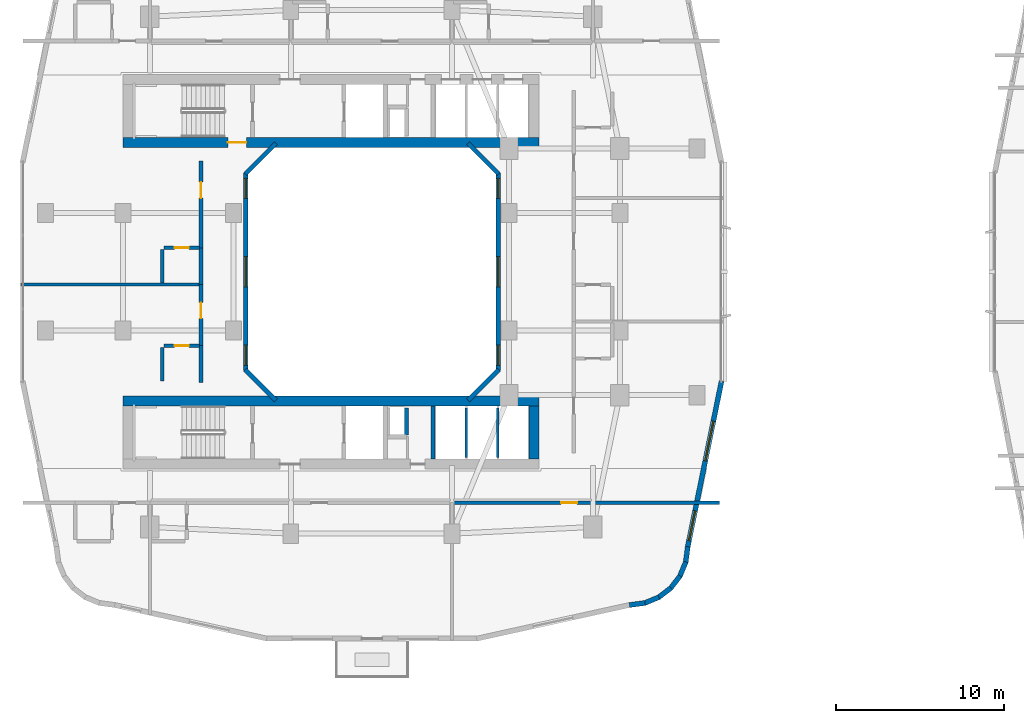
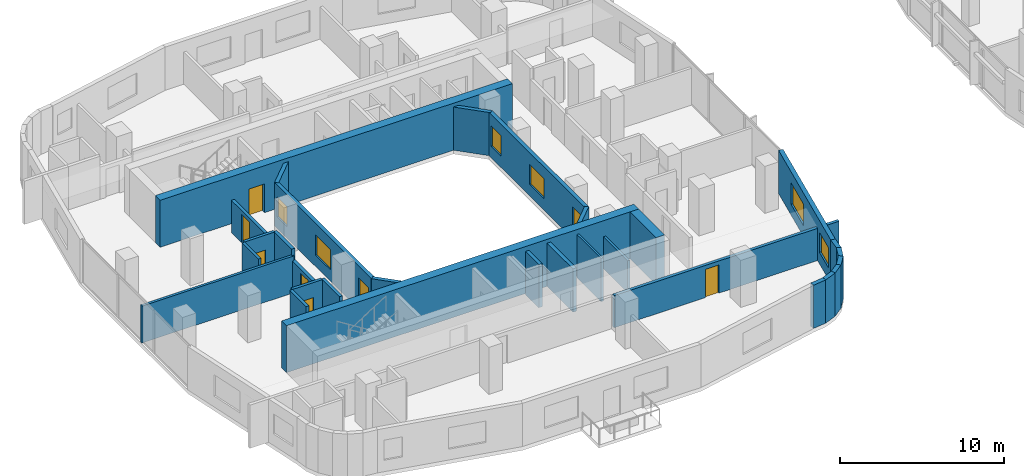
# One storey, part 9 of 22: 30 walls, 8 windows, 6 doors, 14 openings.
"""IFC4 building model written with IfcOpenShell, lengths in metres."""

from ifc_helpers import new_model, si_unit, derived_unit, direction, frame, frame_2d, origin, place, context, subcontext, project, spatial, rectangle, extrude, material, layer, layer_set, type_object, element, fill, save


model = new_model("IFC4")

# Units and contexts
model_context = context("Model", 3, precision=1e-05, world=origin(), true_north=direction((0.0, 1.0)))
body_context = subcontext(model_context, "Body", "Model", "MODEL_VIEW")
ifc_project = project(units=[si_unit("LENGTHUNIT", "METRE"), si_unit("AREAUNIT", "SQUARE_METRE"), si_unit("VOLUMEUNIT", "CUBIC_METRE"), si_unit("PLANEANGLEUNIT", "RADIAN"), si_unit("MASSUNIT", "GRAM", prefix="KILO"), derived_unit("THERMALTRANSMITTANCEUNIT", [(si_unit("POWERUNIT", "WATT"), 1), (si_unit("LENGTHUNIT", "METRE"), -2), (si_unit("THERMODYNAMICTEMPERATUREUNIT", "KELVIN"), -1)])], contexts=[model_context])

# Site, building, storey
site_placement = place(None, origin())
site = spatial("IfcSite", under=ifc_project, at=site_placement, CompositionType="ELEMENT")
building_placement = place(site_placement, origin())
building = spatial("IfcBuilding", under=site, at=building_placement, Name="Kivonza Crest Hotel", CompositionType="ELEMENT")
storey_placement = place(building_placement, frame((0.0, 0.0, 27.5)))
storey = spatial("IfcBuildingStorey", under=building, at=storey_placement, Name="L06", CompositionType="ELEMENT", Elevation=27.5)

# Wall
ifc_material_1 = material(Name="High-density acoustic masonry inter-tenancy wall", Category="masonry")
ifc_layer_1 = layer(ifc_material_1, 0.179931640625)
ifc_layer_set_1 = layer_set([ifc_layer_1], Name="High-density acoustic masonry inter-tenancy wall")
wall_type_1 = type_object("IfcWallType", Name="WL-ACOU-180", PredefinedType="SOLIDWALL", material=ifc_layer_set_1)
wall_1_placement = place(storey_placement, frame((0.139892578125, 24.22998046875, 0.0), z_axis=(0.0, 0.0, 1.0), x_axis=(1.0, 0.0, 0.0)))
element("IfcWall", 1, at=wall_1_placement, inside=storey, type_object=wall_type_1, Name="L06 interior partition WA-L06-T1W-DIV1", PredefinedType="SOLIDWALL", context=body_context, shape_type="SweptSolid", body=[
    extrude(rectangle(XDim=10.710205078125, YDim=0.179931640625, at=frame_2d((5.35498046875, 0.0))), origin(), (0.0, 0.0, 1.0), 2.7451171875),
])

# Wall, opening, door
ifc_material_2 = material(Name="Autoclaved aerated concrete blockwork", Category="masonry")
ifc_layer_2 = layer(ifc_material_2, 0.219970703125)
ifc_layer_set_2 = layer_set([ifc_layer_2], Name="Autoclaved aerated concrete blockwork")
wall_type_2 = type_object("IfcWallType", Name="WL-ACOU-220", PredefinedType="SOLIDWALL", material=ifc_layer_set_2)
wall_2_placement = place(storey_placement, frame((25.89990234375, 11.25, 0.0), z_axis=(0.0, 0.0, 1.0), x_axis=(1.0, 0.0, 0.0)))
wall_2 = element("IfcWall", 2, at=wall_2_placement, inside=storey, type_object=wall_type_2, Name="L06 interior partition WA-L06-BUS-MTG-N", PredefinedType="SOLIDWALL", context=body_context, shape_type="SweptSolid", body=[
    extrude(rectangle(XDim=15.840087890625, YDim=0.219970703125, at=frame_2d((7.919921875, 0.0))), origin(), (0.0, 0.0, 1.0), 2.39501953125),
])
opening_1_placement = place(wall_2_placement, frame((6.410888671875, 0.0, 0.0)))
opening_1 = element("IfcOpeningElement", 3, at=opening_1_placement, cuts=wall_2, Name="Opening DF-60S", PredefinedType="OPENING", context=body_context, shape_type="SweptSolid", body=[
    extrude(rectangle(XDim=0.949951171875, YDim=2.10009765625, at=frame_2d((0.47509765625, 1.050048828125))), frame((0.0, 0.1201171875, 0.0), z_axis=(0.0, -1.0, 0.0), x_axis=(1.0, 0.0, 0.0)), (0.0, 0.0, 1.0), 0.239990234375),
])
ifc_material_3 = material(Name="Hardwood timber oak", Category="wood")
door_type_1 = type_object("IfcDoorType", Name="DR-FD60-950", OperationType="NOTDEFINED", PredefinedType="DOOR", material=ifc_material_3)
door_1_placement = place(opening_1_placement, frame((0.949951171875, 0.0, 0.0), z_axis=(0.0, 0.0, 1.0), x_axis=(-1.0, 0.0, 0.0)))
door_1 = element("IfcDoor", 4, at=door_1_placement, inside=storey, type_object=door_type_1, Name="L06 Executive Club Lounge door", OperationType="SINGLE_SWING_RIGHT", OverallHeight=2.10009765625, OverallWidth=0.949951171875, PredefinedType="DOOR", context=body_context, shape_type="SweptSolid", body=[
    extrude(rectangle(XDim=0.949951171875, YDim=2.10009765625, at=frame_2d((0.47509765625, 1.050048828125))), frame((0.0, 0.02490234375, 0.0), z_axis=(0.0, -1.0, 0.0), x_axis=(1.0, 0.0, 0.0)), (0.0, 0.0, 1.0), 0.050048828125),
])
fill(opening_1, door_1)

# Wall
wall_3_placement = place(storey_placement, frame((10.85009765625, 18.39990234375, 0.0), z_axis=(0.0, 0.0, 1.0), x_axis=(0.0, 1.0, 0.0)))
element("IfcWall", 5, at=wall_3_placement, inside=storey, type_object=wall_type_2, Name="L06 interior partition WA-L06-W06-BCORR", PredefinedType="SOLIDWALL", context=body_context, shape_type="SweptSolid", body=[
    extrude(rectangle(XDim=2.2001953125, YDim=0.219970703125, at=frame_2d((1.10009765625, 0.0))), origin(), (0.0, 0.0, 1.0), 3.219970703125),
])

# Wall, opening, door
wall_4_placement = place(storey_placement, frame((10.85009765625, 20.60009765625, 0.0), z_axis=(0.0, 0.0, 1.0), x_axis=(0.0, 1.0, 0.0)))
wall_4 = element("IfcWall", 6, at=wall_4_placement, inside=storey, type_object=wall_type_2, Name="L06 interior partition WA-L06-W06-MCORR", PredefinedType="SOLIDWALL", context=body_context, shape_type="SweptSolid", body=[
    extrude(rectangle(XDim=3.6298828125, YDim=0.219970703125, at=frame_2d((1.81494140625, 0.0))), origin(), (0.0, 0.0, 1.0), 2.39501953125),
])
opening_2_placement = place(wall_4_placement, frame((1.6201171875, 0.0, 0.0)))
opening_2 = element("IfcOpeningElement", 7, at=opening_2_placement, cuts=wall_4, Name="Opening DU-60", PredefinedType="OPENING", context=body_context, shape_type="SweptSolid", body=[
    extrude(rectangle(XDim=0.949951171875, YDim=2.10009765625, at=frame_2d((0.47509765625, 1.050048828125))), frame((0.0, 0.1201171875, 0.0), z_axis=(0.0, -1.0, 0.0), x_axis=(1.0, 0.0, 0.0)), (0.0, 0.0, 1.0), 0.239990234375),
])
door_type_2 = type_object("IfcDoorType", Name="DR-UNIT-950", OperationType="NOTDEFINED", PredefinedType="DOOR", material=ifc_material_3)
door_2_placement = place(opening_2_placement, origin())
door_2 = element("IfcDoor", 8, at=door_2_placement, inside=storey, type_object=door_type_2, Name="L06 W06 guest unit entrance fire door", OperationType="SINGLE_SWING_RIGHT", OverallHeight=2.10009765625, OverallWidth=0.949951171875, PredefinedType="DOOR", context=body_context, shape_type="SweptSolid", body=[
    extrude(rectangle(XDim=0.949951171875, YDim=2.10009765625, at=frame_2d((0.47509765625, 1.050048828125))), frame((0.0, 0.02490234375, 0.0), z_axis=(0.0, -1.0, 0.0), x_axis=(1.0, 0.0, 0.0)), (0.0, 0.0, 1.0), 0.050048828125),
])
fill(opening_2, door_2)

# Wall
wall_5_placement = place(storey_placement, frame((10.85009765625, 24.22998046875, 0.0), z_axis=(0.0, 0.0, 1.0), x_axis=(0.0, 1.0, 0.0)))
element("IfcWall", 9, at=wall_5_placement, inside=storey, type_object=wall_type_2, Name="L06 interior partition WA-L06-W07-BCORR", PredefinedType="SOLIDWALL", context=body_context, shape_type="SweptSolid", body=[
    extrude(rectangle(XDim=2.199951171875, YDim=0.219970703125, at=frame_2d((1.10009765625, 0.0))), origin(), (0.0, 0.0, 1.0), 3.219970703125),
])

# Wall, opening, door
wall_6_placement = place(storey_placement, frame((10.85009765625, 26.429931640625, 0.0), z_axis=(0.0, 0.0, 1.0), x_axis=(0.0, 1.0, 0.0)))
wall_6 = element("IfcWall", 10, at=wall_6_placement, inside=storey, type_object=wall_type_2, Name="L06 interior partition WA-L06-W07-MCORR", PredefinedType="SOLIDWALL", context=body_context, shape_type="SweptSolid", body=[
    extrude(rectangle(XDim=5.170166015625, YDim=0.219970703125, at=frame_2d((2.5849609375, 0.0))), origin(), (0.0, 0.0, 1.0), 2.39501953125),
])
opening_3_placement = place(wall_6_placement, frame((2.9599609375, 0.0, 0.0)))
opening_3 = element("IfcOpeningElement", 11, at=opening_3_placement, cuts=wall_6, Name="Opening DU-60", PredefinedType="OPENING", context=body_context, shape_type="SweptSolid", body=[
    extrude(rectangle(XDim=0.949951171875, YDim=2.10009765625, at=frame_2d((0.47509765625, 1.050048828125))), frame((0.0, 0.1201171875, 0.0), z_axis=(0.0, -1.0, 0.0), x_axis=(1.0, 0.0, 0.0)), (0.0, 0.0, 1.0), 0.239990234375),
])
door_3_placement = place(opening_3_placement, origin())
door_3 = element("IfcDoor", 12, at=door_3_placement, inside=storey, type_object=door_type_2, Name="L06 W07 guest unit entrance fire door", OperationType="SINGLE_SWING_LEFT", OverallHeight=2.10009765625, OverallWidth=0.949951171875, PredefinedType="DOOR", context=body_context, shape_type="SweptSolid", body=[
    extrude(rectangle(XDim=0.949951171875, YDim=2.10009765625, at=frame_2d((0.47509765625, 1.050048828125))), frame((0.0, 0.02490234375, 0.0), z_axis=(0.0, -1.0, 0.0), x_axis=(1.0, 0.0, 0.0)), (0.0, 0.0, 1.0), 0.050048828125),
])
fill(opening_3, door_3)

ifc_material_4 = material(Name="Concrete C60/75", Category="concrete")
ifc_layer_3 = layer(ifc_material_4, 0.60009765625)
ifc_layer_set_3 = layer_set([ifc_layer_3], Name="Concrete C60/75")
wall_type_3 = type_object("IfcWallType", Name="WL-CORE-600", PredefinedType="SHEAR", material=ifc_layer_set_3)
wall_7_placement = place(storey_placement, frame((6.199951171875, 32.699951171875, 0.0), z_axis=(0.0, 0.0, 1.0), x_axis=(1.0, 0.0, 0.0)))
wall_7 = element("IfcWall", 13, at=wall_7_placement, inside=storey, type_object=wall_type_3, Name="Core wall T1-N South L06", PredefinedType="SHEAR", context=body_context, shape_type="SweptSolid", body=[
    extrude(rectangle(XDim=24.800048828125, YDim=0.60009765625, at=frame_2d((12.39990234375, 0.0))), origin(), (0.0, 0.0, 1.0), 3.5),
])
opening_4_placement = place(wall_7_placement, frame((6.25, 0.0, 0.0)))
opening_4 = element("IfcOpeningElement", 14, at=opening_4_placement, cuts=wall_7, Name="Opening DF-120", PredefinedType="OPENING", context=body_context, shape_type="SweptSolid", body=[
    extrude(rectangle(XDim=1.10009765625, YDim=2.14990234375, at=frame_2d((0.550048828125, 1.074951171875))), frame((0.0, 0.31005859375, 0.0), z_axis=(0.0, -1.0, 0.0), x_axis=(1.0, 0.0, 0.0)), (0.0, 0.0, 1.0), 0.6201171875),
])
ifc_material_5 = material(Name="Galvanised steel", Category="steel")
door_type_3 = type_object("IfcDoorType", Name="DR-FD120-1100", OperationType="NOTDEFINED", PredefinedType="DOOR", material=ifc_material_5)
door_4_placement = place(opening_4_placement, origin())
door_4 = element("IfcDoor", 15, at=door_4_placement, inside=storey, type_object=door_type_3, Name="L06 West corridor stair access fire door", OperationType="SINGLE_SWING_LEFT", OverallHeight=2.14990234375, OverallWidth=1.10009765625, PredefinedType="DOOR", context=body_context, shape_type="SweptSolid", body=[
    extrude(rectangle(XDim=1.10009765625, YDim=2.14990234375, at=frame_2d((0.550048828125, 1.074951171875))), frame((0.0, 0.02490234375, 0.0), z_axis=(0.0, -1.0, 0.0), x_axis=(1.0, 0.0, 0.0)), (0.0, 0.0, 1.0), 0.050048828125),
])
fill(opening_4, door_4)

# Walls
wall_8_placement = place(storey_placement, frame((6.199951171875, 17.300048828125, 0.0), z_axis=(0.0, 0.0, 1.0), x_axis=(1.0, 0.0, 0.0)))
element("IfcWall", 16, at=wall_8_placement, inside=storey, type_object=wall_type_3, Name="Core wall T1-S North L06", PredefinedType="SHEAR", context=body_context, shape_type="SweptSolid", body=[
    extrude(rectangle(XDim=24.800048828125, YDim=0.60009765625, at=frame_2d((12.39990234375, 0.0))), origin(), (0.0, 0.0, 1.0), 3.5),
])
wall_9_placement = place(storey_placement, frame((30.699951171875, 13.840087890625, 0.0), z_axis=(0.0, 0.0, 1.0), x_axis=(0.0, 1.0, 0.0)))
element("IfcWall", 17, at=wall_9_placement, inside=storey, type_object=wall_type_3, Name="Core wall T1-S East L06", PredefinedType="SHEAR", context=body_context, shape_type="SweptSolid", body=[
    extrude(rectangle(XDim=3.159912109375, YDim=0.60009765625, at=frame_2d((1.580078125, 0.0))), origin(), (0.0, 0.0, 1.0), 3.5),
])
ifc_material_6 = material(Name="Precast concrete C40/50", Category="concrete")
ifc_layer_4 = layer(ifc_material_6, 0.260009765625)
ifc_layer_set_4 = layer_set([ifc_layer_4], Name="Precast concrete C40/50")
wall_type_4 = type_object("IfcWallType", Name="WL-EXT-260", PredefinedType="STANDARD", material=ifc_layer_set_4)
wall_10_placement = place(storey_placement, frame((26.761962890625, 17.337890625, 0.0), z_axis=(0.0, 0.0, 1.0), x_axis=(0.707059717605, 0.707153841636, 0.0)))
element("IfcWall", 18, at=wall_10_placement, inside=storey, type_object=wall_type_4, Name="L06 T1 light-well exterior wall 2", PredefinedType="STANDARD", context=body_context, shape_type="SweptSolid", body=[
    extrude(rectangle(XDim=2.59375, YDim=0.260009765625, at=frame_2d((1.296875, 0.0))), origin(), (0.0, 0.0, 1.0), 3.219970703125),
])

# Wall, openings, windows
wall_11_placement = place(storey_placement, frame((28.570068359375, 19.110107421875, 0.0), z_axis=(0.0, 0.0, 1.0), x_axis=(0.0, 1.0, 0.0)))
wall_11 = element("IfcWall", 19, at=wall_11_placement, inside=storey, type_object=wall_type_4, Name="L06 T1 light-well exterior wall 3", PredefinedType="STANDARD", context=body_context, shape_type="SweptSolid", body=[
    extrude(rectangle(XDim=11.77978515625, YDim=0.260009765625, at=frame_2d((5.889892578125, 0.0))), origin(), (0.0, 0.0, 1.0), 3.219970703125),
])
opening_5_placement = place(wall_11_placement, frame((0.318115234375, 0.0, 0.85009765625)))
opening_5 = element("IfcOpeningElement", 20, at=opening_5_placement, cuts=wall_11, Name="Opening WN-01", PredefinedType="OPENING", context=body_context, shape_type="SweptSolid", body=[
    extrude(rectangle(XDim=1.199951171875, YDim=1.5, at=frame_2d((0.60009765625, 0.75))), frame((0.0, 0.14013671875, 0.0), z_axis=(0.0, -1.0, 0.0), x_axis=(1.0, 0.0, 0.0)), (0.0, 0.0, 1.0), 0.280029296875),
])
opening_6_placement = place(wall_11_placement, frame((4.989990234375, 0.0, 0.85009765625)))
opening_6 = element("IfcOpeningElement", 21, at=opening_6_placement, cuts=wall_11, Name="Opening WN-03", PredefinedType="OPENING", context=body_context, shape_type="SweptSolid", body=[
    extrude(rectangle(XDim=1.800048828125, YDim=1.5, at=frame_2d((0.89990234375, 0.75))), frame((0.0, 0.14013671875, 0.0), z_axis=(0.0, -1.0, 0.0), x_axis=(1.0, 0.0, 0.0)), (0.0, 0.0, 1.0), 0.280029296875),
])
opening_7_placement = place(wall_11_placement, frame((10.262939453125, 0.0, 0.85009765625)))
opening_7 = element("IfcOpeningElement", 22, at=opening_7_placement, cuts=wall_11, Name="Opening WN-01", PredefinedType="OPENING", context=body_context, shape_type="SweptSolid", body=[
    extrude(rectangle(XDim=1.199951171875, YDim=1.5, at=frame_2d((0.60009765625, 0.75))), frame((0.0, 0.14013671875, 0.0), z_axis=(0.0, -1.0, 0.0), x_axis=(1.0, 0.0, 0.0)), (0.0, 0.0, 1.0), 0.280029296875),
])
ifc_material_7 = material(Name="Thermally broken bronze aluminium and low-E double glazing", Category="aluminium")
window_type_1 = type_object("IfcWindowType", Name="WN-120x150", PartitioningType="SINGLE_PANEL", PredefinedType="WINDOW", material=ifc_material_7)
window_1_placement = place(opening_5_placement, origin())
window_1 = element("IfcWindow", 23, at=window_1_placement, inside=storey, type_object=window_type_1, Name="L06 T1 light-well window 3 bay 1", OverallHeight=1.5, OverallWidth=1.199951171875, PartitioningType="SINGLE_PANEL", PredefinedType="WINDOW", context=body_context, shape_type="SweptSolid", body=[
    extrude(rectangle(XDim=1.199951171875, YDim=1.5, at=frame_2d((0.60009765625, 0.75))), frame((0.0, 0.030029296875, 0.0), z_axis=(0.0, -1.0, 0.0), x_axis=(1.0, 0.0, 0.0)), (0.0, 0.0, 1.0), 0.06005859375),
])
fill(opening_5, window_1)
window_2_placement = place(opening_7_placement, origin())
window_2 = element("IfcWindow", 24, at=window_2_placement, inside=storey, type_object=window_type_1, Name="L06 T1 light-well window 3 bay 3", OverallHeight=1.5, OverallWidth=1.199951171875, PartitioningType="SINGLE_PANEL", PredefinedType="WINDOW", context=body_context, shape_type="SweptSolid", body=[
    extrude(rectangle(XDim=1.199951171875, YDim=1.5, at=frame_2d((0.60009765625, 0.75))), frame((0.0, 0.030029296875, 0.0), z_axis=(0.0, -1.0, 0.0), x_axis=(1.0, 0.0, 0.0)), (0.0, 0.0, 1.0), 0.06005859375),
])
fill(opening_7, window_2)
window_type_2 = type_object("IfcWindowType", Name="WN-180x150", PartitioningType="DOUBLE_PANEL_VERTICAL", PredefinedType="WINDOW", material=ifc_material_7)
window_3_placement = place(opening_6_placement, origin())
window_3 = element("IfcWindow", 25, at=window_3_placement, inside=storey, type_object=window_type_2, Name="L06 T1 light-well window 3 bay 2", OverallHeight=1.5, OverallWidth=1.800048828125, PartitioningType="SINGLE_PANEL", PredefinedType="WINDOW", context=body_context, shape_type="SweptSolid", body=[
    extrude(rectangle(XDim=1.800048828125, YDim=1.5, at=frame_2d((0.89990234375, 0.75))), frame((0.0, 0.030029296875, 0.0), z_axis=(0.0, -1.0, 0.0), x_axis=(1.0, 0.0, 0.0)), (0.0, 0.0, 1.0), 0.06005859375),
])
fill(opening_6, window_3)

# Walls
wall_12_placement = place(storey_placement, frame((28.595947265625, 30.827880859375, 0.0), z_axis=(0.0, 0.0, 1.0), x_axis=(-0.707059717605, 0.707153841636, 0.0)))
element("IfcWall", 26, at=wall_12_placement, inside=storey, type_object=wall_type_4, Name="L06 T1 light-well exterior wall 4", PredefinedType="STANDARD", context=body_context, shape_type="SweptSolid", body=[
    extrude(rectangle(XDim=2.59375, YDim=0.260009765625, at=frame_2d((1.296875, 0.0))), origin(), (0.0, 0.0, 1.0), 3.219970703125),
])
wall_13_placement = place(storey_placement, frame((15.318115234375, 32.662109375, 0.0), z_axis=(0.0, 0.0, 1.0), x_axis=(-0.707106781187, -0.707106781187, 0.0)))
element("IfcWall", 27, at=wall_13_placement, inside=storey, type_object=wall_type_4, Name="L06 T1 light-well exterior wall 6", PredefinedType="STANDARD", context=body_context, shape_type="SweptSolid", body=[
    extrude(rectangle(XDim=2.593994140625, YDim=0.260009765625, at=frame_2d((1.296875, 0.0))), origin(), (0.0, 0.0, 1.0), 3.219970703125),
])

# Wall, openings, windows
wall_14_placement = place(storey_placement, frame((13.510009765625, 30.889892578125, 0.0), z_axis=(0.0, 0.0, 1.0), x_axis=(0.0, -1.0, 0.0)))
wall_14 = element("IfcWall", 28, at=wall_14_placement, inside=storey, type_object=wall_type_4, Name="L06 T1 light-well exterior wall 7", PredefinedType="STANDARD", context=body_context, shape_type="SweptSolid", body=[
    extrude(rectangle(XDim=11.77978515625, YDim=0.260009765625, at=frame_2d((5.889892578125, 0.0))), origin(), (0.0, 0.0, 1.0), 3.219970703125),
])
opening_8_placement = place(wall_14_placement, frame((0.318115234375, 0.0, 0.85009765625)))
opening_8 = element("IfcOpeningElement", 29, at=opening_8_placement, cuts=wall_14, Name="Opening WN-01", PredefinedType="OPENING", context=body_context, shape_type="SweptSolid", body=[
    extrude(rectangle(XDim=1.199951171875, YDim=1.5, at=frame_2d((0.60009765625, 0.75))), frame((0.0, 0.14013671875, 0.0), z_axis=(0.0, -1.0, 0.0), x_axis=(1.0, 0.0, 0.0)), (0.0, 0.0, 1.0), 0.280029296875),
])
opening_9_placement = place(wall_14_placement, frame((4.989990234375, 0.0, 0.85009765625)))
opening_9 = element("IfcOpeningElement", 30, at=opening_9_placement, cuts=wall_14, Name="Opening WN-03", PredefinedType="OPENING", context=body_context, shape_type="SweptSolid", body=[
    extrude(rectangle(XDim=1.800048828125, YDim=1.5, at=frame_2d((0.89990234375, 0.75))), frame((0.0, 0.14013671875, 0.0), z_axis=(0.0, -1.0, 0.0), x_axis=(1.0, 0.0, 0.0)), (0.0, 0.0, 1.0), 0.280029296875),
])
opening_10_placement = place(wall_14_placement, frame((10.262939453125, 0.0, 0.85009765625)))
opening_10 = element("IfcOpeningElement", 31, at=opening_10_placement, cuts=wall_14, Name="Opening WN-01", PredefinedType="OPENING", context=body_context, shape_type="SweptSolid", body=[
    extrude(rectangle(XDim=1.199951171875, YDim=1.5, at=frame_2d((0.60009765625, 0.75))), frame((0.0, 0.14013671875, 0.0), z_axis=(0.0, -1.0, 0.0), x_axis=(1.0, 0.0, 0.0)), (0.0, 0.0, 1.0), 0.280029296875),
])
window_4_placement = place(opening_8_placement, origin())
window_4 = element("IfcWindow", 32, at=window_4_placement, inside=storey, type_object=window_type_1, Name="L06 T1 light-well window 7 bay 1", OverallHeight=1.5, OverallWidth=1.199951171875, PartitioningType="SINGLE_PANEL", PredefinedType="WINDOW", context=body_context, shape_type="SweptSolid", body=[
    extrude(rectangle(XDim=1.199951171875, YDim=1.5, at=frame_2d((0.60009765625, 0.75))), frame((0.0, 0.030029296875, 0.0), z_axis=(0.0, -1.0, 0.0), x_axis=(1.0, 0.0, 0.0)), (0.0, 0.0, 1.0), 0.06005859375),
])
fill(opening_8, window_4)
window_5_placement = place(opening_10_placement, origin())
window_5 = element("IfcWindow", 33, at=window_5_placement, inside=storey, type_object=window_type_1, Name="L06 T1 light-well window 7 bay 3", OverallHeight=1.5, OverallWidth=1.199951171875, PartitioningType="SINGLE_PANEL", PredefinedType="WINDOW", context=body_context, shape_type="SweptSolid", body=[
    extrude(rectangle(XDim=1.199951171875, YDim=1.5, at=frame_2d((0.60009765625, 0.75))), frame((0.0, 0.030029296875, 0.0), z_axis=(0.0, -1.0, 0.0), x_axis=(1.0, 0.0, 0.0)), (0.0, 0.0, 1.0), 0.06005859375),
])
fill(opening_10, window_5)
window_6_placement = place(opening_9_placement, origin())
window_6 = element("IfcWindow", 34, at=window_6_placement, inside=storey, type_object=window_type_2, Name="L06 T1 light-well window 7 bay 2", OverallHeight=1.5, OverallWidth=1.800048828125, PartitioningType="SINGLE_PANEL", PredefinedType="WINDOW", context=body_context, shape_type="SweptSolid", body=[
    extrude(rectangle(XDim=1.800048828125, YDim=1.5, at=frame_2d((0.89990234375, 0.75))), frame((0.0, 0.030029296875, 0.0), z_axis=(0.0, -1.0, 0.0), x_axis=(1.0, 0.0, 0.0)), (0.0, 0.0, 1.0), 0.06005859375),
])
fill(opening_9, window_6)

# Walls
wall_15_placement = place(storey_placement, frame((13.48388671875, 19.172119140625, 0.0), z_axis=(0.0, 0.0, 1.0), x_axis=(0.707106781187, -0.707106781187, 0.0)))
element("IfcWall", 35, at=wall_15_placement, inside=storey, type_object=wall_type_4, Name="L06 T1 light-well exterior wall 8", PredefinedType="STANDARD", context=body_context, shape_type="SweptSolid", body=[
    extrude(rectangle(XDim=2.593994140625, YDim=0.260009765625, at=frame_2d((1.296875, 0.0))), origin(), (0.0, 0.0, 1.0), 3.219970703125),
])
ifc_layer_5 = layer(ifc_material_6, 0.300048828125)
ifc_layer_set_5 = layer_set([ifc_layer_5], Name="Precast concrete C40/50")
wall_type_5 = type_object("IfcWallType", Name="WL-EXT-300", PredefinedType="STANDARD", material=ifc_layer_set_5)
wall_16_placement = place(storey_placement, frame((36.3720703125, 5.14794921875, 0.0), z_axis=(0.0, 0.0, 1.0), x_axis=(0.991359246108, 0.131174864804, 0.0)))
element("IfcWall", 36, at=wall_16_placement, inside=storey, type_object=wall_type_5, Name="L06 T1 exterior insulated wall 10", PredefinedType="STANDARD", context=body_context, shape_type="SweptSolid", body=[
    extrude(rectangle(XDim=0.93798828125, YDim=0.300048828125, at=frame_2d((0.468994140625, 0.0))), origin(), (0.0, 0.0, 1.0), 3.219970703125),
])
wall_17_placement = place(storey_placement, frame((37.251953125, 5.251953125, 0.0), z_axis=(0.0, 0.0, 1.0), x_axis=(0.924019948111, 0.382344263057, 0.0)))
element("IfcWall", 37, at=wall_17_placement, inside=storey, type_object=wall_type_5, Name="L06 T1 exterior insulated wall 11", PredefinedType="STANDARD", context=body_context, shape_type="SweptSolid", body=[
    extrude(rectangle(XDim=0.95458984375, YDim=0.300048828125, at=frame_2d((0.477294921875, 0.0))), origin(), (0.0, 0.0, 1.0), 3.219970703125),
])
wall_18_placement = place(storey_placement, frame((38.089111328125, 5.5859375, 0.0), z_axis=(0.0, 0.0, 1.0), x_axis=(0.793573440799, 0.608474481025, 0.0)))
element("IfcWall", 38, at=wall_18_placement, inside=storey, type_object=wall_type_5, Name="L06 T1 exterior insulated wall 12", PredefinedType="STANDARD", context=body_context, shape_type="SweptSolid", body=[
    extrude(rectangle(XDim=0.954833984375, YDim=0.300048828125, at=frame_2d((0.4775390625, 0.0))), origin(), (0.0, 0.0, 1.0), 3.219970703125),
])
wall_19_placement = place(storey_placement, frame((38.81201171875, 6.125, 0.0), z_axis=(0.0, 0.0, 1.0), x_axis=(0.608351047625, 0.793668068435, 0.0)))
element("IfcWall", 39, at=wall_19_placement, inside=storey, type_object=wall_type_5, Name="L06 T1 exterior insulated wall 13", PredefinedType="STANDARD", context=body_context, shape_type="SweptSolid", body=[
    extrude(rectangle(XDim=0.955078125, YDim=0.300048828125, at=frame_2d((0.4775390625, 0.0))), origin(), (0.0, 0.0, 1.0), 3.219970703125),
])
wall_20_placement = place(storey_placement, frame((39.368896484375, 6.833984375, 0.0), z_axis=(0.0, 0.0, 1.0), x_axis=(0.382344263057, 0.924019948111, 0.0)))
element("IfcWall", 40, at=wall_20_placement, inside=storey, type_object=wall_type_5, Name="L06 T1 exterior insulated wall 14", PredefinedType="STANDARD", context=body_context, shape_type="SweptSolid", body=[
    extrude(rectangle(XDim=0.95458984375, YDim=0.300048828125, at=frame_2d((0.477294921875, 0.0))), origin(), (0.0, 0.0, 1.0), 3.219970703125),
])
wall_21_placement = place(storey_placement, frame((39.72509765625, 7.6630859375, 0.0), z_axis=(0.0, 0.0, 1.0), x_axis=(0.130454512571, 0.991454295543, 0.0)))
element("IfcWall", 41, at=wall_21_placement, inside=storey, type_object=wall_type_5, Name="L06 T1 exterior insulated wall 15", PredefinedType="STANDARD", context=body_context, shape_type="SweptSolid", body=[
    extrude(rectangle(XDim=0.97314453125, YDim=0.300048828125, at=frame_2d((0.486572265625, 0.0))), origin(), (0.0, 0.0, 1.0), 3.219970703125),
])

# Wall, openings, windows
wall_22_placement = place(storey_placement, frame((39.85107421875, 8.6220703125, 0.0), z_axis=(0.0, 0.0, 1.0), x_axis=(0.199990901713, 0.979797754249, 0.0)))
wall_22 = element("IfcWall", 42, at=wall_22_placement, inside=storey, type_object=wall_type_5, Name="L06 T1 exterior insulated wall 16", PredefinedType="STANDARD", context=body_context, shape_type="SweptSolid", body=[
    extrude(rectangle(XDim=10.065185546875, YDim=0.300048828125, at=frame_2d((5.03271484375, 0.0))), origin(), (0.0, 0.0, 1.0), 3.219970703125),
])
opening_11_placement = place(wall_22_placement, frame((0.3779296875, 0.0, 0.85009765625)))
opening_11 = element("IfcOpeningElement", 43, at=opening_11_placement, cuts=wall_22, Name="Opening WN-03", PredefinedType="OPENING", context=body_context, shape_type="SweptSolid", body=[
    extrude(rectangle(XDim=1.800048828125, YDim=1.5, at=frame_2d((0.89990234375, 0.75))), frame((0.0, 0.16015625, 0.0), z_axis=(0.0, -1.0, 0.0), x_axis=(1.0, 0.0, 0.0)), (0.0, 0.0, 1.0), 0.320068359375),
])
opening_12_placement = place(wall_22_placement, frame((5.236083984375, 0.0, 0.800048828125)))
opening_12 = element("IfcOpeningElement", 44, at=opening_12_placement, cuts=wall_22, Name="Opening WN-05", PredefinedType="OPENING", context=body_context, shape_type="SweptSolid", body=[
    extrude(rectangle(XDim=2.39990234375, YDim=1.60009765625, at=frame_2d((1.199951171875, 0.800048828125))), frame((0.0, 0.16015625, 0.0), z_axis=(0.0, -1.0, 0.0), x_axis=(1.0, 0.0, 0.0)), (0.0, 0.0, 1.0), 0.320068359375),
])
window_7_placement = place(opening_11_placement, origin())
window_7 = element("IfcWindow", 45, at=window_7_placement, inside=storey, type_object=window_type_2, Name="L06 T1 facade window 16 bay 1", OverallHeight=1.5, OverallWidth=1.800048828125, PartitioningType="SINGLE_PANEL", PredefinedType="WINDOW", context=body_context, shape_type="SweptSolid", body=[
    extrude(rectangle(XDim=1.800048828125, YDim=1.5, at=frame_2d((0.89990234375, 0.75))), frame((0.0, 0.030029296875, 0.0), z_axis=(0.0, -1.0, 0.0), x_axis=(1.0, 0.0, 0.0)), (0.0, 0.0, 1.0), 0.06005859375),
])
fill(opening_11, window_7)
window_type_3 = type_object("IfcWindowType", Name="WN-240x160", PartitioningType="TRIPLE_PANEL_VERTICAL", PredefinedType="WINDOW", material=ifc_material_7)
window_8_placement = place(opening_12_placement, origin())
window_8 = element("IfcWindow", 46, at=window_8_placement, inside=storey, type_object=window_type_3, Name="L06 T1 facade window 16 bay 2", OverallHeight=1.60009765625, OverallWidth=2.39990234375, PartitioningType="SINGLE_PANEL", PredefinedType="WINDOW", context=body_context, shape_type="SweptSolid", body=[
    extrude(rectangle(XDim=2.39990234375, YDim=1.60009765625, at=frame_2d((1.199951171875, 0.800048828125))), frame((0.0, 0.030029296875, 0.0), z_axis=(0.0, -1.0, 0.0), x_axis=(1.0, 0.0, 0.0)), (0.0, 0.0, 1.0), 0.06005859375),
])
fill(opening_12, window_8)

# Walls
ifc_material_8 = material(Name="Concrete blockwork fire-compartment wall", Category="masonry")
ifc_layer_6 = layer(ifc_material_8, 0.25)
ifc_layer_set_6 = layer_set([ifc_layer_6], Name="Concrete blockwork fire-compartment wall")
wall_type_6 = type_object("IfcWallType", Name="WL-FIRE-250", PredefinedType="SOLIDWALL", material=ifc_layer_set_6)
wall_23_placement = place(storey_placement, frame((23.10009765625, 15.280029296875, 0.0), z_axis=(0.0, 0.0, 1.0), x_axis=(0.0, 1.0, 0.0)))
element("IfcWall", 47, at=wall_23_placement, inside=storey, type_object=wall_type_6, Name="L06 interior partition WA-L06-T1-S-MEPR-E", PredefinedType="SOLIDWALL", context=body_context, shape_type="SweptSolid", body=[
    extrude(rectangle(XDim=1.619873046875, YDim=0.25, at=frame_2d((0.81005859375, 0.0))), origin(), (0.0, 0.0, 1.0), 3.219970703125),
])
ifc_material_9 = material(Name="Twin-stud acoustic gypsum board partition", Category="gypsum")
ifc_layer_7 = layer(ifc_material_9, 0.14990234375)
ifc_layer_set_7 = layer_set([ifc_layer_7], Name="Twin-stud acoustic gypsum board partition")
wall_type_7 = type_object("IfcWallType", Name="WL-PART-150", PredefinedType="PARTITIONING", material=ifc_layer_set_7)
wall_24_placement = place(storey_placement, frame((26.6669921875, 13.93994140625, 0.0), z_axis=(0.0, 0.0, 1.0), x_axis=(0.0, 1.0, 0.0)))
element("IfcWall", 48, at=wall_24_placement, inside=storey, type_object=wall_type_7, Name="L06 interior partition WP-L06-T1-S-BSH-1", PredefinedType="PARTITIONING", context=body_context, shape_type="SweptSolid", body=[
    extrude(rectangle(XDim=2.9599609375, YDim=0.14990234375, at=frame_2d((1.47998046875, 0.0))), origin(), (0.0, 0.0, 1.0), 3.219970703125),
])
wall_25_placement = place(storey_placement, frame((28.532958984375, 13.93994140625, 0.0), z_axis=(0.0, 0.0, 1.0), x_axis=(0.0, 1.0, 0.0)))
element("IfcWall", 49, at=wall_25_placement, inside=storey, type_object=wall_type_7, Name="L06 interior partition WP-L06-T1-S-BSH-2", PredefinedType="PARTITIONING", context=body_context, shape_type="SweptSolid", body=[
    extrude(rectangle(XDim=2.9599609375, YDim=0.14990234375, at=frame_2d((1.47998046875, 0.0))), origin(), (0.0, 0.0, 1.0), 2.39501953125),
])

# Wall, opening, door
ifc_material_10 = material(Name="Moisture-resistant plumbing chase partition wall", Category="gypsum")
ifc_layer_8 = layer(ifc_material_10, 0.199951171875)
ifc_layer_set_8 = layer_set([ifc_layer_8], Name="Moisture-resistant plumbing chase partition wall")
wall_type_8 = type_object("IfcWallType", Name="WL-PLUMB-200", PredefinedType="PLUMBINGWALL", material=ifc_layer_set_8)
wall_26_placement = place(storey_placement, frame((8.64990234375, 20.60009765625, 0.0), z_axis=(0.0, 0.0, 1.0), x_axis=(1.0, 0.0, 0.0)))
wall_26 = element("IfcWall", 50, at=wall_26_placement, inside=storey, type_object=wall_type_8, Name="L06 interior partition WW-L06-W06-BH", PredefinedType="PLUMBINGWALL", context=body_context, shape_type="SweptSolid", body=[
    extrude(rectangle(XDim=2.10009765625, YDim=0.199951171875, at=frame_2d((1.050048828125, 0.0))), origin(), (0.0, 0.0, 1.0), 3.219970703125),
])
opening_13_placement = place(wall_26_placement, frame((0.625, 0.0, 0.0)))
opening_13 = element("IfcOpeningElement", 51, at=opening_13_placement, cuts=wall_26, Name="Opening DI-85", PredefinedType="OPENING", context=body_context, shape_type="SweptSolid", body=[
    extrude(rectangle(XDim=0.85009765625, YDim=2.10009765625, at=frame_2d((0.425048828125, 1.050048828125))), frame((0.0, 0.10986328125, 0.0), z_axis=(0.0, -1.0, 0.0), x_axis=(1.0, 0.0, 0.0)), (0.0, 0.0, 1.0), 0.219970703125),
])
door_type_4 = type_object("IfcDoorType", Name="DR-INT-850", OperationType="NOTDEFINED", PredefinedType="DOOR", material=ifc_material_3)
door_5_placement = place(opening_13_placement, origin())
door_5 = element("IfcDoor", 52, at=door_5_placement, inside=storey, type_object=door_type_4, Name="L06 W06 en-suite bathroom door", OperationType="SINGLE_SWING_LEFT", OverallHeight=2.10009765625, OverallWidth=0.85009765625, PredefinedType="DOOR", context=body_context, shape_type="SweptSolid", body=[
    extrude(rectangle(XDim=0.85009765625, YDim=2.10009765625, at=frame_2d((0.425048828125, 1.050048828125))), frame((0.0, 0.02490234375, 0.0), z_axis=(0.0, -1.0, 0.0), x_axis=(1.0, 0.0, 0.0)), (0.0, 0.0, 1.0), 0.050048828125),
])
fill(opening_13, door_5)

# Wall
wall_27_placement = place(storey_placement, frame((8.550048828125, 18.5, 0.0), z_axis=(0.0, 0.0, 1.0), x_axis=(0.0, 1.0, 0.0)))
element("IfcWall", 53, at=wall_27_placement, inside=storey, type_object=wall_type_8, Name="L06 interior partition WW-L06-W06-BV", PredefinedType="PLUMBINGWALL", context=body_context, shape_type="SweptSolid", body=[
    extrude(rectangle(XDim=2.0, YDim=0.199951171875, at=frame_2d((1.0, 0.0))), origin(), (0.0, 0.0, 1.0), 3.219970703125),
])

# Wall, opening, door
wall_28_placement = place(storey_placement, frame((8.64990234375, 26.429931640625, 0.0), z_axis=(0.0, 0.0, 1.0), x_axis=(1.0, 0.0, 0.0)))
wall_28 = element("IfcWall", 54, at=wall_28_placement, inside=storey, type_object=wall_type_8, Name="L06 interior partition WW-L06-W07-BH", PredefinedType="PLUMBINGWALL", context=body_context, shape_type="SweptSolid", body=[
    extrude(rectangle(XDim=2.10009765625, YDim=0.199951171875, at=frame_2d((1.050048828125, 0.0))), origin(), (0.0, 0.0, 1.0), 3.219970703125),
])
opening_14_placement = place(wall_28_placement, frame((0.625, 0.0, 0.0)))
opening_14 = element("IfcOpeningElement", 55, at=opening_14_placement, cuts=wall_28, Name="Opening DI-85", PredefinedType="OPENING", context=body_context, shape_type="SweptSolid", body=[
    extrude(rectangle(XDim=0.85009765625, YDim=2.10009765625, at=frame_2d((0.425048828125, 1.050048828125))), frame((0.0, 0.10986328125, 0.0), z_axis=(0.0, -1.0, 0.0), x_axis=(1.0, 0.0, 0.0)), (0.0, 0.0, 1.0), 0.219970703125),
])
door_6_placement = place(opening_14_placement, origin())
door_6 = element("IfcDoor", 56, at=door_6_placement, inside=storey, type_object=door_type_4, Name="L06 W07 en-suite bathroom door", OperationType="SINGLE_SWING_RIGHT", OverallHeight=2.10009765625, OverallWidth=0.85009765625, PredefinedType="DOOR", context=body_context, shape_type="SweptSolid", body=[
    extrude(rectangle(XDim=0.85009765625, YDim=2.10009765625, at=frame_2d((0.425048828125, 1.050048828125))), frame((0.0, 0.02490234375, 0.0), z_axis=(0.0, -1.0, 0.0), x_axis=(1.0, 0.0, 0.0)), (0.0, 0.0, 1.0), 0.050048828125),
])
fill(opening_14, door_6)

# Walls
wall_29_placement = place(storey_placement, frame((8.550048828125, 24.330078125, 0.0), z_axis=(0.0, 0.0, 1.0), x_axis=(0.0, 1.0, 0.0)))
element("IfcWall", 57, at=wall_29_placement, inside=storey, type_object=wall_type_8, Name="L06 interior partition WW-L06-W07-BV", PredefinedType="PLUMBINGWALL", context=body_context, shape_type="SweptSolid", body=[
    extrude(rectangle(XDim=2.0, YDim=0.199951171875, at=frame_2d((1.0, 0.0))), origin(), (0.0, 0.0, 1.0), 3.219970703125),
])
ifc_material_11 = material(Name="Concrete C50/60", Category="concrete")
ifc_layer_9 = layer(ifc_material_11, 0.25)
ifc_layer_set_9 = layer_set([ifc_layer_9], Name="Concrete C50/60")
wall_type_9 = type_object("IfcWallType", Name="WL-SHAFT-250", PredefinedType="STANDARD", material=ifc_layer_set_9)
wall_30_placement = place(storey_placement, frame((24.675048828125, 13.840087890625, 0.0), z_axis=(0.0, 0.0, 1.0), x_axis=(0.0, 1.0, 0.0)))
element("IfcWall", 58, at=wall_30_placement, inside=storey, type_object=wall_type_9, Name="Core shaft wall T1-S BANK-W L06", PredefinedType="STANDARD", context=body_context, shape_type="SweptSolid", body=[
    extrude(rectangle(XDim=3.159912109375, YDim=0.25, at=frame_2d((1.580078125, 0.0))), origin(), (0.0, 0.0, 1.0), 3.219970703125),
])

save(model, "model.ifc")
